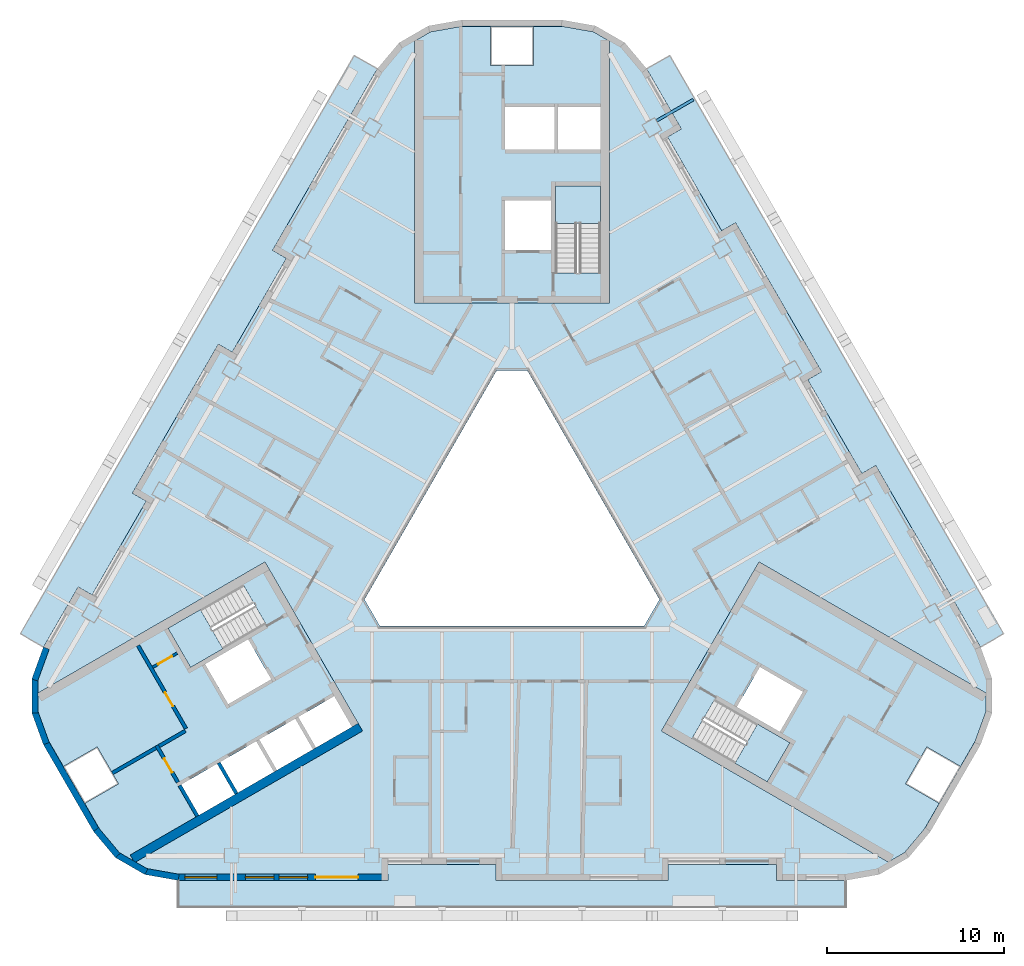
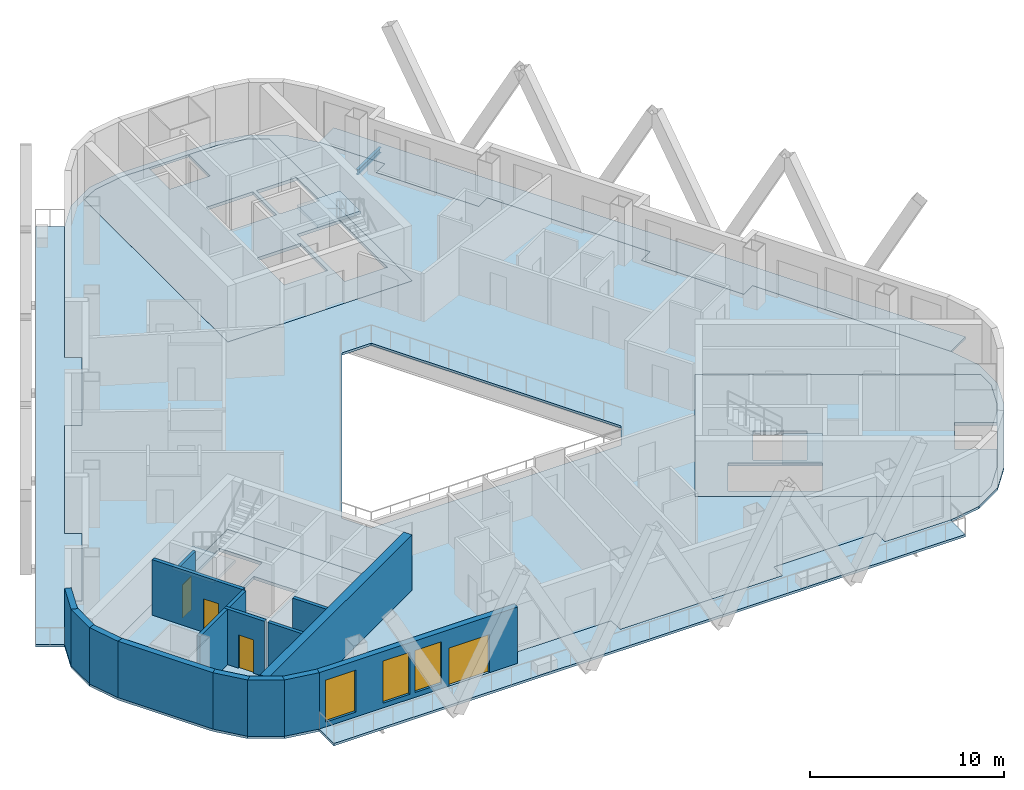
# One storey, part 2 of 14: 16 walls, 10 slabs, 4 doors, 3 windows, 1 beam, 7 openings, 3 elements without a shape of their own.
"""IFC4 building model written with IfcOpenShell, lengths in metres."""

from ifc_helpers import new_model, si_unit, direction, frame, frame_2d, origin, origin_2d, place, context, subcontext, project, spatial, polyline, rectangle, i_section, outline, extrude, material, layer, layer_set, material_profile, profile_set, type_object, element, fill, aggregate, save


model = new_model("IFC4")

# Units and contexts
model_context = context("Model", 3, precision=1e-05, world=origin(), true_north=direction((0.0, 1.0)))
body_context = subcontext(model_context, "Body", "Model", "MODEL_VIEW")
ifc_project = project(units=[si_unit("LENGTHUNIT", "METRE"), si_unit("AREAUNIT", "SQUARE_METRE"), si_unit("VOLUMEUNIT", "CUBIC_METRE"), si_unit("PLANEANGLEUNIT", "RADIAN"), si_unit("MASSUNIT", "GRAM", prefix="KILO")], contexts=[model_context])

# Site, building, storey
site_placement = place(None, origin())
site = spatial("IfcSite", under=ifc_project, at=site_placement, CompositionType="ELEMENT")
building_placement = place(site_placement, origin())
building = spatial("IfcBuilding", under=site, at=building_placement, Name="Apuvela Tower Hotel", CompositionType="ELEMENT")
storey_placement = place(building_placement, frame((0.0, 0.0, 154.0)))
storey = spatial("IfcBuildingStorey", under=building, at=storey_placement, Name="L36", CompositionType="ELEMENT", Elevation=154.0)

# Beam
ifc_material_1 = material(Name="Steel S355", Category="steel")
ifc_material_profile = material_profile(ifc_material_1, i_section(OverallWidth=0.159912109375, OverallDepth=0.330078125, WebThickness=0.007568359375, FlangeThickness=0.011474609375, at=origin_2d()), Name="IPE 330")
ifc_profile_set = profile_set([ifc_material_profile], Name="Steel S355")
beam_type = type_object("IfcBeamType", Name="ENV-BALCONY-BEAM-IPE330", PredefinedType="BEAM", material=ifc_profile_set)
beam_placement = place(storey_placement, frame((8.15576171875, 23.183837890625, -0.31494140625), z_axis=(0.866007538022, 0.500030943131, 0.0), x_axis=(-0.500030943131, 0.866007538022, 0.0)))
element("IfcBeam", 1, at=beam_placement, inside=storey, type_object=beam_type, Name="Balcony cantilever beam NE3 L36", PredefinedType="BEAM", context=body_context, shape_type="SweptSolid", body=[
    extrude(i_section(OverallWidth=0.159912109375, OverallDepth=0.330078125, WebThickness=0.007568359375, FlangeThickness=0.011474609375, at=origin_2d()), origin(), (0.0, 0.0, 1.0), 2.374755859375),
])

# Slabs
ifc_material_2 = material(Name="Concrete C50/60", Category="concrete")
ifc_layer_1 = layer(ifc_material_2, 0.199951171875)
ifc_layer_set_1 = layer_set([ifc_layer_1], Name="COR-FLOOR-200")
slab_type_1 = type_object("IfcSlabType", Name="COR-FLOOR-200", PredefinedType="FLOOR", material=ifc_layer_set_1)
slab_1_placement = place(storey_placement, frame((0.0, 0.0, -0.199951171875)))
element("IfcSlab", 2, at=slab_1_placement, inside=storey, type_object=slab_type_1, Name="Core floor N", PredefinedType="FLOOR", context=body_context, shape_type="SweptSolid", body=[
    extrude(outline(polyline([(5.5, 27.668212890625), (4.588623046875, 28.1943359375), (2.85498046875, 28.5), (1.199951171875, 28.5), (1.199951171875, 26.300048828125), (-1.199951171875, 26.300048828125), (-1.199951171875, 28.5), (-2.85498046875, 28.5), (-4.588623046875, 28.1943359375), (-5.5, 27.668212890625), (-5.5, 12.89990234375), (5.5, 12.89990234375), (5.5, 27.668212890625)]), holes=[polyline([(5.0, 14.60595703125), (2.449951171875, 14.60595703125), (2.449951171875, 19.5), (5.0, 19.5), (5.0, 14.60595703125)]), polyline([(2.199951171875, 15.89990234375), (-0.39990234375, 15.89990234375), (-0.39990234375, 18.699951171875), (2.199951171875, 18.699951171875), (2.199951171875, 15.89990234375)]), polyline([(5.0, 21.550048828125), (2.60009765625, 21.550048828125), (2.60009765625, 23.949951171875), (5.0, 23.949951171875), (5.0, 21.550048828125)]), polyline([(2.39990234375, 21.550048828125), (-0.39990234375, 21.550048828125), (-0.39990234375, 23.949951171875), (2.39990234375, 23.949951171875), (2.39990234375, 21.550048828125)])]), origin(), (0.0, 0.0, 1.0), 0.199951171875),
])
slab_2_placement = place(storey_placement, frame((0.0, 0.0, -0.199951171875)))
element("IfcSlab", 3, at=slab_2_placement, inside=storey, type_object=slab_type_1, Name="Core floor SW", PredefinedType="FLOOR", context=body_context, shape_type="SweptSolid", body=[
    extrude(outline(polyline([(-26.711181640625, -9.07080078125), (-26.711181640625, -10.123291015625), (-26.109375, -11.77734375), (-25.28173828125, -13.210693359375), (-23.37646484375, -12.11083984375), (-22.176513671875, -14.189208984375), (-24.081787109375, -15.289306640625), (-23.254150390625, -16.72265625), (-22.122802734375, -18.071044921875), (-21.211181640625, -18.59716796875), (-8.421630859375, -11.213134765625), (-13.921630859375, -1.68701171875), (-26.711181640625, -9.07080078125)]), holes=[polyline([(-10.01806640625, -9.248046875), (-9.01806640625, -10.97998046875), (-11.044677734375, -12.150146484375), (-12.044677734375, -10.418212890625), (-10.01806640625, -9.248046875)]), polyline([(-14.244384765625, -11.68798828125), (-12.2177734375, -10.51806640625), (-11.2177734375, -12.25), (-13.244384765625, -13.420166015625), (-14.244384765625, -11.68798828125)]), polyline([(-19.387451171875, -5.419921875), (-15.149169921875, -2.972900390625), (-13.874267578125, -5.18115234375), (-18.112548828125, -7.628173828125), (-19.387451171875, -5.419921875)]), polyline([(-14.869873046875, -6.044677734375), (-13.56982421875, -8.29638671875), (-15.99462890625, -9.6962890625), (-17.294677734375, -7.444580078125), (-14.869873046875, -6.044677734375)]), polyline([(-16.444091796875, -12.9580078125), (-14.41748046875, -11.7880859375), (-13.41748046875, -13.52001953125), (-15.444091796875, -14.690185546875), (-16.444091796875, -12.9580078125)]), polyline([(-18.643798828125, -14.22802734375), (-16.6171875, -13.05810546875), (-15.6171875, -14.7900390625), (-17.643798828125, -15.960205078125), (-18.643798828125, -14.22802734375)])]), origin(), (0.0, 0.0, 1.0), 0.199951171875),
])
slab_3_placement = place(storey_placement, frame((0.0, 0.0, -0.199951171875)))
element("IfcSlab", 4, at=slab_3_placement, inside=storey, type_object=slab_type_1, Name="Core floor SE", PredefinedType="FLOOR", context=body_context, shape_type="SweptSolid", body=[
    extrude(outline(polyline([(21.211181640625, -18.59716796875), (22.122802734375, -18.071044921875), (23.254150390625, -16.72265625), (24.081787109375, -15.289306640625), (22.176513671875, -14.189208984375), (23.37646484375, -12.11083984375), (25.28173828125, -13.210693359375), (26.109375, -11.77734375), (26.711181640625, -10.123291015625), (26.711181640625, -9.07080078125), (13.921630859375, -1.68701171875), (8.421630859375, -11.213134765625), (21.211181640625, -18.59716796875)]), holes=[polyline([(11.42431640625, -9.4248046875), (15.66259765625, -11.871826171875), (14.387451171875, -14.080078125), (10.149169921875, -11.633056640625), (11.42431640625, -9.4248046875)]), polyline([(13.9697265625, -7.603515625), (16.394775390625, -9.003662109375), (15.0947265625, -11.25537109375), (12.669921875, -9.855224609375), (13.9697265625, -7.603515625)])]), origin(), (0.0, 0.0, 1.0), 0.199951171875),
])

# Stair, slab
stair_type = type_object("IfcStairType", Name="COR-STAIR-22R", PredefinedType="HALF_TURN_STAIR", material=ifc_material_2)
stair_1_placement = place(storey_placement, origin())
stair_1 = element("IfcStair", 5, at=stair_1_placement, inside=storey, type_object=stair_type, Name="L36 Exit stair ST1", PredefinedType="HALF_TURN_STAIR")
ifc_layer_2 = layer(ifc_material_2, 0.199951171875)
ifc_layer_set_2 = layer_set([ifc_layer_2], Name="COR-LANDING-200")
slab_type_2 = type_object("IfcSlabType", Name="COR-LANDING-200", PredefinedType="LANDING", material=ifc_layer_set_2)
slab_4_placement = place(storey_placement, frame((0.0, 0.0, 1.64990234375)))
slab_4 = element("IfcSlab", 6, at=slab_4_placement, type_object=slab_type_2, Name="ST1 landing 1", PredefinedType="LANDING", context=body_context, shape_type="SweptSolid", body=[
    extrude(outline(polyline([(5.0, 17.39404296875), (5.0, 19.5), (2.449951171875, 19.5), (2.449951171875, 17.39404296875), (5.0, 17.39404296875)])), origin(), (0.0, 0.0, 1.0), 0.2001953125),
])
aggregate(stair_1, [slab_4])

stair_2_placement = place(storey_placement, origin())
stair_2 = element("IfcStair", 7, at=stair_2_placement, inside=storey, type_object=stair_type, Name="L36 Exit stair ST2", PredefinedType="HALF_TURN_STAIR")
slab_5_placement = place(storey_placement, frame((0.0, 0.0, 1.64990234375)))
slab_5 = element("IfcSlab", 8, at=slab_5_placement, type_object=slab_type_2, Name="ST2 landing 1", PredefinedType="LANDING", context=body_context, shape_type="SweptSolid", body=[
    extrude(outline(polyline([(-17.563720703125, -4.366943359375), (-19.387451171875, -5.419921875), (-18.112548828125, -7.628173828125), (-16.28857421875, -6.5751953125), (-17.563720703125, -4.366943359375)])), origin(), (0.0, 0.0, 1.0), 0.2001953125),
])
aggregate(stair_2, [slab_5])

stair_3_placement = place(storey_placement, origin())
stair_3 = element("IfcStair", 9, at=stair_3_placement, inside=storey, type_object=stair_type, Name="L36 Exit stair ST3", PredefinedType="HALF_TURN_STAIR")
slab_6_placement = place(storey_placement, frame((0.0, 0.0, 1.64990234375)))
slab_6 = element("IfcSlab", 10, at=slab_6_placement, type_object=slab_type_2, Name="ST3 landing 1", PredefinedType="LANDING", context=body_context, shape_type="SweptSolid", body=[
    extrude(outline(polyline([(12.563720703125, -13.027099609375), (14.387451171875, -14.080078125), (15.66259765625, -11.871826171875), (13.838623046875, -10.81884765625), (12.563720703125, -13.027099609375)])), origin(), (0.0, 0.0, 1.0), 0.2001953125),
])
aggregate(stair_3, [slab_6])

# Slabs
ifc_material_3 = material(Name="Concrete C40/50, fair-faced", Category="concrete")
ifc_layer_3 = layer(ifc_material_3, 0.14990234375)
ifc_layer_set_3 = layer_set([ifc_layer_3], Name="ENV-BALCONY-150")
slab_type_3 = type_object("IfcSlabType", Name="ENV-BALCONY-150", PredefinedType="FLOOR", material=ifc_layer_set_3)
slab_7_placement = place(storey_placement, frame((0.0, 0.0, -0.14990234375)))
element("IfcSlab", 11, at=slab_7_placement, inside=storey, type_object=slab_type_3, Name="Balcony slab S L36", PredefinedType="FLOOR", context=body_context, shape_type="SweptSolid", body=[
    extrude(outline(polyline([(18.82080078125, -21.135009765625), (-18.82080078125, -21.135009765625), (-18.82080078125, -19.625), (-7.0048828125, -19.625), (-7.0048828125, -18.72509765625), (-0.89501953125, -18.72509765625), (-0.89501953125, -19.625), (8.794921875, -19.625), (8.794921875, -18.72509765625), (14.905029296875, -18.72509765625), (14.905029296875, -19.625), (18.82080078125, -19.625), (18.82080078125, -21.135009765625)])), origin(), (0.0, 0.0, 1.0), 0.14990234375),
])
slab_8_placement = place(storey_placement, frame((0.0, 0.0, -0.14990234375)))
element("IfcSlab", 12, at=slab_8_placement, inside=storey, type_object=slab_type_3, Name="Balcony slab NE L36", PredefinedType="FLOOR", context=body_context, shape_type="SweptSolid", body=[
    extrude(outline(polyline([(17.443359375, 9.037353515625), (12.598388671875, 17.42919921875), (11.81884765625, 16.979248046875), (8.763916015625, 22.2705078125), (9.543212890625, 22.720703125), (7.585205078125, 26.11181640625), (8.89306640625, 26.86669921875), (27.7138671875, -5.731689453125), (26.40625, -6.48681640625), (20.498291015625, 3.74609375), (19.71875, 3.2958984375), (16.663818359375, 8.58740234375), (17.443359375, 9.037353515625)])), origin(), (0.0, 0.0, 1.0), 0.14990234375),
])
slab_9_placement = place(storey_placement, frame((0.0, 0.0, -0.14990234375)))
element("IfcSlab", 13, at=slab_9_placement, inside=storey, type_object=slab_type_3, Name="Balcony slab NW L36", PredefinedType="FLOOR", context=body_context, shape_type="SweptSolid", body=[
    extrude(outline(polyline([(-27.7138671875, -5.731689453125), (-8.89306640625, 26.86669921875), (-7.585205078125, 26.11181640625), (-13.4931640625, 15.87890625), (-12.7138671875, 15.428955078125), (-15.768798828125, 10.1376953125), (-16.548095703125, 10.587646484375), (-21.393310546875, 2.19580078125), (-20.61376953125, 1.745849609375), (-23.668701171875, -3.545654296875), (-24.4482421875, -3.095703125), (-26.40625, -6.48681640625), (-27.7138671875, -5.731689453125)])), origin(), (0.0, 0.0, 1.0), 0.14990234375),
])
ifc_material_4 = material(Name="Concrete C35/45", Category="concrete")
ifc_layer_4 = layer(ifc_material_4, 0.14990234375)
ifc_layer_set_4 = layer_set([ifc_layer_4], Name="STR-SLAB 150 floor Concrete C35/45")
slab_type_4 = type_object("IfcSlabType", Name="STR-SLAB 150 floor Concrete C35/45", PredefinedType="FLOOR", material=ifc_layer_set_4)
slab_10_placement = place(storey_placement, frame((0.0, 0.0, -0.14990234375)))
element("IfcSlab", 14, at=slab_10_placement, inside=storey, type_object=slab_type_4, Name="Floor slab S4 L36", PredefinedType="FLOOR", context=body_context, shape_type="SweptSolid", body=[
    extrude(outline(polyline([(-6.3642578125, 27.5732421875), (-4.710205078125, 28.5283203125), (-2.8291015625, 28.860107421875), (2.8291015625, 28.860107421875), (4.710205078125, 28.5283203125), (6.3642578125, 27.5732421875), (7.59228515625, 26.110107421875), (9.550048828125, 22.71875), (8.770751953125, 22.268798828125), (11.82080078125, 16.986083984375), (12.60009765625, 17.43603515625), (17.4501953125, 9.035400390625), (16.670654296875, 8.58544921875), (19.720703125, 3.302734375), (20.5, 3.752685546875), (26.407958984375, -6.47998046875), (27.061279296875, -8.27490234375), (27.061279296875, -10.18505859375), (26.407958984375, -11.97998046875), (23.5791015625, -16.8798828125), (22.351318359375, -18.34326171875), (20.697021484375, -19.29833984375), (18.81591796875, -19.6298828125), (14.89990234375, -19.6298828125), (14.89990234375, -18.72998046875), (8.800048828125, -18.72998046875), (8.800048828125, -19.6298828125), (-0.89990234375, -19.6298828125), (-0.89990234375, -18.72998046875), (-7.0, -18.72998046875), (-7.0, -19.6298828125), (-18.81591796875, -19.6298828125), (-20.697021484375, -19.29833984375), (-22.351318359375, -18.34326171875), (-23.5791015625, -16.8798828125), (-26.407958984375, -11.97998046875), (-27.061279296875, -10.18505859375), (-27.061279296875, -8.27490234375), (-26.407958984375, -6.47998046875), (-24.4501953125, -3.088623046875), (-23.670654296875, -3.538818359375), (-20.62060546875, 1.743896484375), (-21.400146484375, 2.194091796875), (-16.550048828125, 10.594482421875), (-15.7705078125, 10.14453125), (-12.720703125, 15.42724609375), (-13.5, 15.877197265625), (-7.59228515625, 26.110107421875), (-6.3642578125, 27.5732421875)]), holes=[polyline([(0.865966796875, 9.10009765625), (-0.865966796875, 9.10009765625), (-8.313720703125, -3.800048828125), (-7.44775390625, -5.300048828125), (7.44775390625, -5.300048828125), (8.313720703125, -3.800048828125), (0.865966796875, 9.10009765625)]), polyline([(-5.5, 12.89990234375), (-5.5, 27.668212890625), (-4.588623046875, 28.1943359375), (-2.85498046875, 28.5), (2.85498046875, 28.5), (4.588623046875, 28.1943359375), (5.5, 27.668212890625), (5.5, 12.89990234375), (-5.5, 12.89990234375)]), polyline([(-8.421630859375, -11.213134765625), (-21.211181640625, -18.59716796875), (-22.122802734375, -18.071044921875), (-23.254150390625, -16.72265625), (-26.109375, -11.77734375), (-26.711181640625, -10.123291015625), (-26.711181640625, -9.07080078125), (-13.921630859375, -1.68701171875), (-8.421630859375, -11.213134765625)]), polyline([(13.921630859375, -1.68701171875), (26.711181640625, -9.07080078125), (26.711181640625, -10.123291015625), (26.109375, -11.77734375), (23.254150390625, -16.72265625), (22.122802734375, -18.071044921875), (21.211181640625, -18.59716796875), (8.421630859375, -11.213134765625), (13.921630859375, -1.68701171875)])]), origin(), (0.0, 0.0, 1.0), 0.14990234375),
])

# Wall
ifc_layer_5 = layer(ifc_material_2, 0.5)
ifc_layer_set_5 = layer_set([ifc_layer_5], Name="COR-WALL-CORE-500")
wall_type_1 = type_object("IfcWallType", Name="COR-WALL-CORE-500", PredefinedType="SHEAR", material=ifc_layer_set_5)
wall_1_placement = place(storey_placement, frame((-8.546630859375, -10.99658203125, 0.0), z_axis=(0.0, 0.0, 1.0), x_axis=(-0.866025009528, -0.500000682871, 0.0)))
element("IfcWall", 15, at=wall_1_placement, inside=storey, type_object=wall_type_1, Name="Core wall SW", PredefinedType="SHEAR", context=body_context, shape_type="SweptSolid", body=[
    extrude(rectangle(XDim=14.8369140625, YDim=0.5, at=frame_2d((7.41845703125, 0.0))), origin(), (0.0, 0.0, 1.0), 3.5),
])

# Wall, opening, door
ifc_material_5 = material(Name="Blockwork 150 mm plastered", Category="masonry")
ifc_layer_6 = layer(ifc_material_5, 0.14990234375)
ifc_layer_set_6 = layer_set([ifc_layer_6], Name="COR-WALL-PART-150")
wall_type_2 = type_object("IfcWallType", Name="COR-WALL-PART-150", PredefinedType="PARTITIONING", material=ifc_layer_set_6)
wall_2_placement = place(storey_placement, frame((-18.866455078125, -6.822265625, 0.0), z_axis=(0.0, 0.0, 1.0), x_axis=(-0.866028054938, -0.499995408039, 0.0)))
wall_2 = element("IfcWall", 16, at=wall_2_placement, inside=storey, type_object=wall_type_2, Name="Partition SW", PredefinedType="PARTITIONING", context=body_context, shape_type="SweptSolid", body=[
    extrude(rectangle(XDim=1.60009765625, YDim=0.14990234375, at=frame_2d((0.800048828125, 0.0))), origin(), (0.0, 0.0, 1.0), 3.5),
])
opening_1_placement = place(wall_2_placement, frame((0.35009765625, 0.0, 0.0)))
opening_1 = element("IfcOpeningElement", 17, at=opening_1_placement, cuts=wall_2, Name="Opening W-RD", PredefinedType="OPENING", context=body_context, shape_type="SweptSolid", body=[
    extrude(rectangle(XDim=0.89990234375, YDim=2.10009765625, at=frame_2d((0.449951171875, 1.050048828125))), frame((0.0, 0.0849609375, 0.0), z_axis=(0.0, -1.0, 0.0), x_axis=(1.0, 0.0, 0.0)), (0.0, 0.0, 1.0), 0.169921875),
])
ifc_material_6 = material(Name="Steel access door, powder coated", Category="steel")
door_type_1 = type_object("IfcDoorType", Name="COR-RD-900", OperationType="NOTDEFINED", PredefinedType="DOOR", material=ifc_material_6)
door_1_placement = place(opening_1_placement, frame((0.89990234375, 0.0, 0.0), z_axis=(0.0, 0.0, 1.0), x_axis=(-1.0, 0.0, 0.0)))
door_1 = element("IfcDoor", 18, at=door_1_placement, inside=storey, type_object=door_type_1, Name="Riser door W-RD", OperationType="SINGLE_SWING_RIGHT", OverallHeight=2.10009765625, OverallWidth=0.89990234375, PredefinedType="DOOR", context=body_context, shape_type="SweptSolid", body=[
    extrude(rectangle(XDim=0.89990234375, YDim=2.10009765625, at=frame_2d((0.449951171875, 1.050048828125))), frame((0.0, 0.02490234375, 0.0), z_axis=(0.0, -1.0, 0.0), x_axis=(1.0, 0.0, 0.0)), (0.0, 0.0, 1.0), 0.050048828125),
])
fill(opening_1, door_1)

ifc_material_7 = material(Name="Blockwork 200 mm plastered", Category="masonry")
ifc_layer_7 = layer(ifc_material_7, 0.199951171875)
ifc_layer_set_7 = layer_set([ifc_layer_7], Name="COR-WALL-PART-200")
wall_type_3 = type_object("IfcWallType", Name="COR-WALL-PART-200", PredefinedType="PARTITIONING", material=ifc_layer_set_7)
wall_3_placement = place(storey_placement, frame((-21.076171875, -6.39501953125, 0.0), z_axis=(0.0, 0.0, 1.0), x_axis=(0.50001468107, -0.866016927499, 0.0)))
wall_3 = element("IfcWall", 19, at=wall_3_placement, inside=storey, type_object=wall_type_3, Name="Partition SW", PredefinedType="PARTITIONING", context=body_context, shape_type="SweptSolid", body=[
    extrude(rectangle(XDim=5.399658203125, YDim=0.199951171875, at=frame_2d((2.69970703125, 0.0))), origin(), (0.0, 0.0, 1.0), 3.5),
])
opening_2_placement = place(wall_3_placement, frame((3.050048828125, 0.0, 0.0)))
opening_2 = element("IfcOpeningElement", 20, at=opening_2_placement, cuts=wall_3, Name="Opening W-RS1", PredefinedType="OPENING", context=body_context, shape_type="SweptSolid", body=[
    extrude(rectangle(XDim=0.89990234375, YDim=2.10009765625, at=frame_2d((0.449951171875, 1.050048828125))), frame((0.0, 0.10986328125, 0.0), z_axis=(0.0, -1.0, 0.0), x_axis=(1.0, 0.0, 0.0)), (0.0, 0.0, 1.0), 0.219970703125),
])
ifc_material_8 = material(Name="Steel fire door, powder coated", Category="steel")
door_type_2 = type_object("IfcDoorType", Name="COR-DR-900", OperationType="NOTDEFINED", PredefinedType="DOOR", material=ifc_material_8)
door_2_placement = place(opening_2_placement, frame((0.89990234375, 0.0, 0.0), z_axis=(0.0, 0.0, 1.0), x_axis=(-1.0, 0.0, 0.0)))
door_2 = element("IfcDoor", 21, at=door_2_placement, inside=storey, type_object=door_type_2, Name="Store door W-RS1", OperationType="SINGLE_SWING_LEFT", OverallHeight=2.10009765625, OverallWidth=0.89990234375, PredefinedType="DOOR", context=body_context, shape_type="SweptSolid", body=[
    extrude(rectangle(XDim=0.89990234375, YDim=2.10009765625, at=frame_2d((0.449951171875, 1.050048828125))), frame((0.0, 0.02490234375, 0.0), z_axis=(0.0, -1.0, 0.0), x_axis=(1.0, 0.0, 0.0)), (0.0, 0.0, 1.0), 0.050048828125),
])
fill(opening_2, door_2)

ifc_layer_8 = layer(ifc_material_2, 0.199951171875)
ifc_layer_set_8 = layer_set([ifc_layer_8], Name="COR-WALL-SHAFT-200")
wall_type_4 = type_object("IfcWallType", Name="COR-WALL-SHAFT-200", PredefinedType="SHEAR", material=ifc_layer_set_8)
wall_4_placement = place(storey_placement, frame((-20.030517578125, -12.0263671875, 0.0), z_axis=(0.0, 0.0, 1.0), x_axis=(0.500033551112, -0.866006032174, 0.0)))
wall_4 = element("IfcWall", 22, at=wall_4_placement, inside=storey, type_object=wall_type_4, Name="Shaft wall SW", PredefinedType="SHEAR", context=body_context, shape_type="SweptSolid", body=[
    extrude(rectangle(XDim=2.400146484375, YDim=0.199951171875, at=frame_2d((1.2001953125, 0.0))), origin(), (0.0, 0.0, 1.0), 3.5),
])
opening_3_placement = place(wall_4_placement, frame((0.85009765625, 0.0, 0.0)))
opening_3 = element("IfcOpeningElement", 23, at=opening_3_placement, cuts=wall_4, Name="Opening W-REP", PredefinedType="OPENING", context=body_context, shape_type="SweptSolid", body=[
    extrude(rectangle(XDim=0.89990234375, YDim=2.10009765625, at=frame_2d((0.449951171875, 1.050048828125))), frame((0.0, 0.10986328125, 0.0), z_axis=(0.0, -1.0, 0.0), x_axis=(1.0, 0.0, 0.0)), (0.0, 0.0, 1.0), 0.219970703125),
])
door_3_placement = place(opening_3_placement, frame((0.89990234375, 0.0, 0.0), z_axis=(0.0, 0.0, 1.0), x_axis=(-1.0, 0.0, 0.0)))
door_3 = element("IfcDoor", 24, at=door_3_placement, inside=storey, type_object=door_type_2, Name="Store door W-REP", OperationType="SINGLE_SWING_LEFT", OverallHeight=2.10009765625, OverallWidth=0.89990234375, PredefinedType="DOOR", context=body_context, shape_type="SweptSolid", body=[
    extrude(rectangle(XDim=0.89990234375, YDim=2.10009765625, at=frame_2d((0.449951171875, 1.050048828125))), frame((0.0, 0.02490234375, 0.0), z_axis=(0.0, -1.0, 0.0), x_axis=(1.0, 0.0, 0.0)), (0.0, 0.0, 1.0), 0.050048828125),
])
fill(opening_3, door_3)

# Walls
wall_5_placement = place(storey_placement, frame((-18.412841796875, -11.2080078125, 0.0), z_axis=(0.0, 0.0, 1.0), x_axis=(-0.866038183914, -0.499977863513, 0.0)))
element("IfcWall", 25, at=wall_5_placement, inside=storey, type_object=wall_type_4, Name="Shaft wall SW", PredefinedType="SHEAR", context=body_context, shape_type="SweptSolid", body=[
    extrude(rectangle(XDim=1.7099609375, YDim=0.199951171875, at=frame_2d((0.85498046875, 0.0))), origin(), (0.0, 0.0, 1.0), 3.5),
])
for number, where, z_axis, x_axis, name in (
    (26, (-16.530517578125, -13.008056640625, 0.0), (0.0, 0.0, 1.0), (0.50002537861, -0.866010750942, 0.0), "Shaft wall SW"),
    (27, (-18.73046875, -14.278076171875, 0.0), (0.0, 0.0, 1.0), (0.50002537861, -0.866010750942, 0.0), "Shaft wall SW"),
):
    element("IfcWall", number, at=place(storey_placement, frame(where, z_axis=z_axis, x_axis=x_axis)), inside=storey, type_object=wall_type_4, Name=name, PredefinedType="SHEAR", context=body_context, shape_type="SweptSolid", body=[
        extrude(rectangle(XDim=2.0, YDim=0.199951171875, at=frame_2d((1.0, 0.0))), origin(), (0.0, 0.0, 1.0), 3.5),
    ])
wall_6_placement = place(storey_placement, frame((-20.06689453125, -12.1630859375, 0.0), z_axis=(0.0, 0.0, 1.0), x_axis=(-0.866055327414, -0.49994816717, 0.0)))
element("IfcWall", 28, at=wall_6_placement, inside=storey, type_object=wall_type_4, Name="Shaft wall SW", PredefinedType="SHEAR", context=body_context, shape_type="SweptSolid", body=[
    extrude(rectangle(XDim=2.840087890625, YDim=0.199951171875, at=frame_2d((1.419921875, 0.0))), origin(), (0.0, 0.0, 1.0), 3.5),
])
ifc_material_9 = material(Name="Concrete C40/50, dark pigmented precast panel", Category="concrete")
ifc_layer_9 = layer(ifc_material_9, 0.35009765625)
ifc_layer_set_9 = layer_set([ifc_layer_9], Name="ENV-WALL-350")
wall_type_5 = type_object("IfcWallType", Name="ENV-WALL-350", PredefinedType="SOLIDWALL", material=ifc_layer_set_9)
for number, where, z_axis, x_axis, name in (
    (29, (-26.24365234375, -6.539794921875, 0.0), (0.0, 0.0, 1.0), (-0.342030395486, -0.939688889242, 0.0), "External wall L36-10"),
    (30, (-26.88623046875, -8.27490234375, 0.0), (0.0, 0.0, 1.0), (0.0, -1.0, 0.0), "External wall L36-11"),
    (31, (-26.89697265625, -10.125244140625, 0.0), (0.0, 0.0, 1.0), (0.342030395486, -0.939688889242, 0.0), "External wall L36-12"),
):
    element("IfcWall", number, at=place(storey_placement, frame(where, z_axis=z_axis, x_axis=x_axis)), inside=storey, type_object=wall_type_5, Name=name, PredefinedType="SOLIDWALL", context=body_context, shape_type="SweptSolid", body=[
        extrude(rectangle(XDim=1.91015625, YDim=0.35009765625, at=frame_2d((0.955078125, 0.0))), origin(), (0.0, 0.0, 1.0), 3.550048828125),
    ])
wall_7_placement = place(storey_placement, frame((-26.256591796875, -11.892578125, 0.0), z_axis=(0.0, 0.0, 1.0), x_axis=(0.500018773155, -0.866014564827, 0.0)))
element("IfcWall", 32, at=wall_7_placement, inside=storey, type_object=wall_type_5, Name="External wall L36-13", PredefinedType="SOLIDWALL", context=body_context, shape_type="SweptSolid", body=[
    extrude(rectangle(XDim=5.657958984375, YDim=0.35009765625, at=frame_2d((2.8291015625, 0.0))), origin(), (0.0, 0.0, 1.0), 3.550048828125),
])
for number, where, z_axis, x_axis, name in (
    (33, (-23.44482421875, -16.767578125, 0.0), (0.0, 0.0, 1.0), (0.642733291068, -0.76609001857, 0.0), "External wall L36-14"),
    (34, (-22.263671875, -18.191650390625, 0.0), (0.0, 0.0, 1.0), (0.866000389056, -0.500043324278, 0.0), "External wall L36-15"),
):
    element("IfcWall", number, at=place(storey_placement, frame(where, z_axis=z_axis, x_axis=x_axis)), inside=storey, type_object=wall_type_5, Name=name, PredefinedType="SOLIDWALL", context=body_context, shape_type="SweptSolid", body=[
        extrude(rectangle(XDim=1.909912109375, YDim=0.35009765625, at=frame_2d((0.955078125, 0.0))), origin(), (0.0, 0.0, 1.0), 3.550048828125),
    ])
wall_8_placement = place(storey_placement, frame((-20.66650390625, -19.1259765625, 0.0), z_axis=(0.0, 0.0, 1.0), x_axis=(0.984798995425, -0.173697837091, 0.0)))
element("IfcWall", 35, at=wall_8_placement, inside=storey, type_object=wall_type_5, Name="External wall L36-16", PredefinedType="SOLIDWALL", context=body_context, shape_type="SweptSolid", body=[
    extrude(rectangle(XDim=1.91015625, YDim=0.35009765625, at=frame_2d((0.955078125, 0.0))), origin(), (0.0, 0.0, 1.0), 3.550048828125),
])

# Wall, openings, door, windows
wall_9_placement = place(storey_placement, frame((-18.81591796875, -19.455078125, 0.0), z_axis=(0.0, 0.0, 1.0), x_axis=(1.0, 0.0, 0.0)))
wall_9 = element("IfcWall", 36, at=wall_9_placement, inside=storey, type_object=wall_type_5, Name="External wall L36-17", PredefinedType="SOLIDWALL", context=body_context, shape_type="SweptSolid", body=[
    extrude(rectangle(XDim=11.81591796875, YDim=0.35009765625, at=frame_2d((5.907958984375, 0.0))), origin(), (0.0, 0.0, 1.0), 3.550048828125),
])
opening_4_placement = place(wall_9_placement, frame((0.380615234375, 0.0, 0.300048828125)))
opening_4 = element("IfcOpeningElement", 37, at=opening_4_placement, cuts=wall_9, Name="Opening WN18", PredefinedType="OPENING", context=body_context, shape_type="SweptSolid", body=[
    extrude(rectangle(XDim=1.800048828125, YDim=2.64990234375, at=frame_2d((0.89990234375, 1.324951171875))), frame((0.0, 0.18505859375, 0.0), z_axis=(0.0, -1.0, 0.0), x_axis=(1.0, 0.0, 0.0)), (0.0, 0.0, 1.0), 0.3701171875),
])
opening_5_placement = place(wall_9_placement, frame((7.740478515625, 0.0, 0.0)))
opening_5 = element("IfcOpeningElement", 38, at=opening_5_placement, cuts=wall_9, Name="Opening BD24", PredefinedType="OPENING", context=body_context, shape_type="SweptSolid", body=[
    extrude(rectangle(XDim=2.39990234375, YDim=2.39990234375, at=frame_2d((1.199951171875, 1.199951171875))), frame((0.0, 0.18505859375, 0.0), z_axis=(0.0, -1.0, 0.0), x_axis=(1.0, 0.0, 0.0)), (0.0, 0.0, 1.0), 0.3701171875),
])
opening_6_placement = place(wall_9_placement, frame((3.790771484375, 0.0, 0.300048828125)))
opening_6 = element("IfcOpeningElement", 39, at=opening_6_placement, cuts=wall_9, Name="Opening WN16", PredefinedType="OPENING", context=body_context, shape_type="SweptSolid", body=[
    extrude(rectangle(XDim=1.60009765625, YDim=2.64990234375, at=frame_2d((0.800048828125, 1.324951171875))), frame((0.0, 0.18505859375, 0.0), z_axis=(0.0, -1.0, 0.0), x_axis=(1.0, 0.0, 0.0)), (0.0, 0.0, 1.0), 0.3701171875),
])
opening_7_placement = place(wall_9_placement, frame((5.69091796875, 0.0, 0.300048828125)))
opening_7 = element("IfcOpeningElement", 40, at=opening_7_placement, cuts=wall_9, Name="Opening WN16", PredefinedType="OPENING", context=body_context, shape_type="SweptSolid", body=[
    extrude(rectangle(XDim=1.60009765625, YDim=2.64990234375, at=frame_2d((0.800048828125, 1.324951171875))), frame((0.0, 0.18505859375, 0.0), z_axis=(0.0, -1.0, 0.0), x_axis=(1.0, 0.0, 0.0)), (0.0, 0.0, 1.0), 0.3701171875),
])
ifc_material_10 = material(Name="Aluminium 6063-T6, dark bronze anodised frame with dark tinted laminated glass", Category="aluminium")
door_type_3 = type_object("IfcDoorType", Name="ENV-DOOR-BALCONY-2400x2400", OperationType="SLIDING_TO_LEFT", PredefinedType="DOOR", material=ifc_material_10)
door_4_placement = place(opening_5_placement, frame((2.39990234375, 0.0, 0.0), z_axis=(0.0, 0.0, 1.0), x_axis=(-1.0, 0.0, 0.0)))
door_4 = element("IfcDoor", 41, at=door_4_placement, inside=storey, type_object=door_type_3, Name="Balcony door BD24", OperationType="SLIDING_TO_LEFT", OverallHeight=2.39990234375, OverallWidth=2.39990234375, PredefinedType="DOOR", context=body_context, shape_type="SweptSolid", body=[
    extrude(rectangle(XDim=2.39990234375, YDim=2.39990234375, at=frame_2d((1.199951171875, 1.199951171875))), frame((0.0, 0.02490234375, 0.0), z_axis=(0.0, -1.0, 0.0), x_axis=(1.0, 0.0, 0.0)), (0.0, 0.0, 1.0), 0.050048828125),
])
fill(opening_5, door_4)
ifc_material_11 = material(Name="Glass, dark tinted laminated insulated glazing unit", Category="glass")
window_type_1 = type_object("IfcWindowType", Name="ENV-WIN-1600x2650", PartitioningType="SINGLE_PANEL", PredefinedType="WINDOW", material=ifc_material_11)
window_1_placement = place(opening_6_placement, origin())
window_1 = element("IfcWindow", 42, at=window_1_placement, inside=storey, type_object=window_type_1, Name="Window WN16", OverallHeight=2.64990234375, OverallWidth=1.60009765625, PartitioningType="SINGLE_PANEL", PredefinedType="WINDOW", context=body_context, shape_type="SweptSolid", body=[
    extrude(rectangle(XDim=1.60009765625, YDim=2.64990234375, at=frame_2d((0.800048828125, 1.324951171875))), frame((0.0, 0.030029296875, 0.0), z_axis=(0.0, -1.0, 0.0), x_axis=(1.0, 0.0, 0.0)), (0.0, 0.0, 1.0), 0.06005859375),
])
fill(opening_6, window_1)
window_2_placement = place(opening_7_placement, origin())
window_2 = element("IfcWindow", 43, at=window_2_placement, inside=storey, type_object=window_type_1, Name="Window WN16", OverallHeight=2.64990234375, OverallWidth=1.60009765625, PartitioningType="SINGLE_PANEL", PredefinedType="WINDOW", context=body_context, shape_type="SweptSolid", body=[
    extrude(rectangle(XDim=1.60009765625, YDim=2.64990234375, at=frame_2d((0.800048828125, 1.324951171875))), frame((0.0, 0.030029296875, 0.0), z_axis=(0.0, -1.0, 0.0), x_axis=(1.0, 0.0, 0.0)), (0.0, 0.0, 1.0), 0.06005859375),
])
fill(opening_7, window_2)
window_type_2 = type_object("IfcWindowType", Name="ENV-WIN-1800x2650", PartitioningType="SINGLE_PANEL", PredefinedType="WINDOW", material=ifc_material_11)
window_3_placement = place(opening_4_placement, origin())
window_3 = element("IfcWindow", 44, at=window_3_placement, inside=storey, type_object=window_type_2, Name="Window WN18", OverallHeight=2.64990234375, OverallWidth=1.800048828125, PartitioningType="SINGLE_PANEL", PredefinedType="WINDOW", context=body_context, shape_type="SweptSolid", body=[
    extrude(rectangle(XDim=1.800048828125, YDim=2.64990234375, at=frame_2d((0.89990234375, 1.324951171875))), frame((0.0, 0.030029296875, 0.0), z_axis=(0.0, -1.0, 0.0), x_axis=(1.0, 0.0, 0.0)), (0.0, 0.0, 1.0), 0.06005859375),
])
fill(opening_4, window_3)

save(model, "model.ifc")
